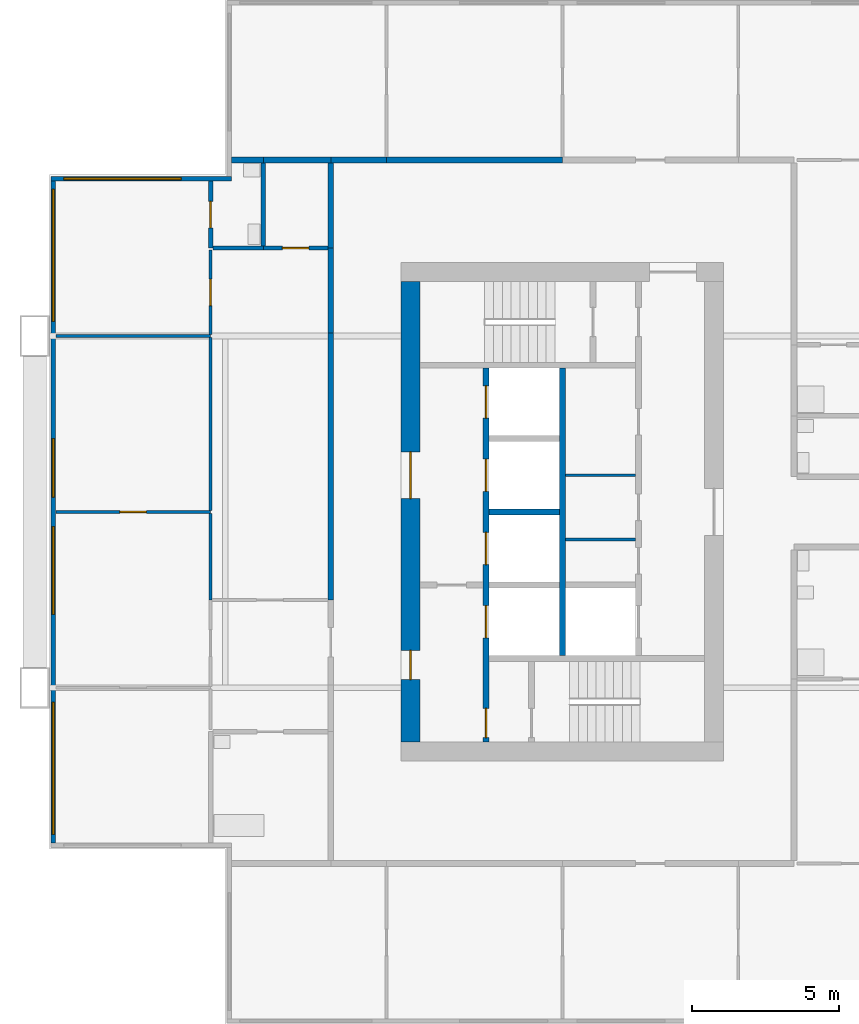
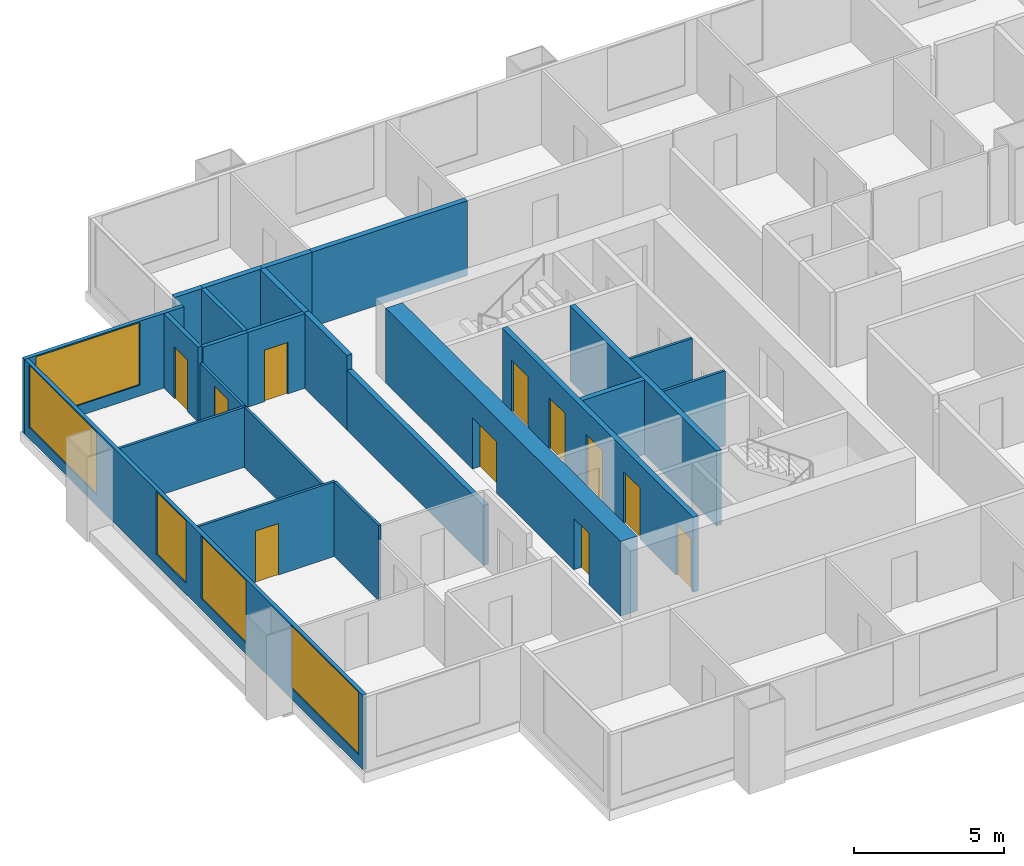
# One storey, part 3 of 11: 24 walls, 11 doors, 5 windows, 16 openings.
"""IFC4 building model written with IfcOpenShell, lengths in metres."""

from ifc_helpers import new_model, si_unit, direction, frame, frame_2d, origin, place, context, subcontext, project, spatial, rectangle, extrude, material, layer, layer_set, type_object, element, fill, save


model = new_model("IFC4")

# Units and contexts
model_context = context("Model", 3, precision=1e-05, world=origin(), true_north=direction((0.0, 1.0)))
body_context = subcontext(model_context, "Body", "Model", "MODEL_VIEW")
ifc_project = project(units=[si_unit("LENGTHUNIT", "METRE"), si_unit("AREAUNIT", "SQUARE_METRE"), si_unit("VOLUMEUNIT", "CUBIC_METRE"), si_unit("PLANEANGLEUNIT", "RADIAN"), si_unit("MASSUNIT", "GRAM", prefix="KILO")], contexts=[model_context])

# Site, building, storey
site_placement = place(None, origin())
site = spatial("IfcSite", under=ifc_project, at=site_placement, CompositionType="ELEMENT")
building_placement = place(site_placement, origin())
building = spatial("IfcBuilding", under=site, at=building_placement, Name="Kitamizu Gate Tower and Museum", CompositionType="ELEMENT")
storey_placement = place(building_placement, frame((0.0, 0.0, 127.64990234375)))
storey = spatial("IfcBuildingStorey", under=building, at=storey_placement, Name="L33", CompositionType="ELEMENT", Elevation=127.64990234375)

# Wall, openings, doors
ifc_material_1 = material(Name="Concrete Fc60", Category="concrete")
ifc_layer_1 = layer(ifc_material_1, 0.64990234375)
ifc_layer_set_1 = layer_set([ifc_layer_1], Name="Concrete Fc60")
wall_type_1 = type_object("IfcWallType", Name="Core wall 650", PredefinedType="SHEAR", material=ifc_layer_set_1)
wall_1_placement = place(storey_placement, frame((12.824951171875, 22.14990234375, 0.0), z_axis=(0.0, 0.0, 1.0), x_axis=(0.0, 1.0, 0.0)))
wall_1 = element("IfcWall", 1, at=wall_1_placement, inside=storey, type_object=wall_type_1, Name="Core wall WOUT", PredefinedType="SHEAR", context=body_context, shape_type="SweptSolid", body=[
    extrude(rectangle(XDim=15.7001953125, YDim=0.64990234375, at=frame_2d((7.85009765625, 0.0))), origin(), (0.0, 0.0, 1.0), 3.050048828125),
])
opening_1_placement = place(wall_1_placement, frame((8.300048828125, 0.0, 0.0)))
opening_1 = element("IfcOpeningElement", 2, at=opening_1_placement, cuts=wall_1, Name="Opening L33-057", PredefinedType="OPENING", context=body_context, shape_type="SweptSolid", body=[
    extrude(rectangle(XDim=1.60009765625, YDim=2.10009765625, at=frame_2d((0.800048828125, 1.050048828125))), frame((0.0, 0.3349609375, 0.0), z_axis=(0.0, -1.0, 0.0), x_axis=(1.0, 0.0, 0.0)), (0.0, 0.0, 1.0), 0.669921875),
])
opening_2_placement = place(wall_1_placement, frame((2.125, 0.0, 0.0)))
opening_2 = element("IfcOpeningElement", 3, at=opening_2_placement, cuts=wall_1, Name="Opening L33-058", PredefinedType="OPENING", context=body_context, shape_type="SweptSolid", body=[
    extrude(rectangle(XDim=1.0, YDim=2.10009765625, at=frame_2d((0.5, 1.050048828125))), frame((0.0, 0.3349609375, 0.0), z_axis=(0.0, -1.0, 0.0), x_axis=(1.0, 0.0, 0.0)), (0.0, 0.0, 1.0), 0.669921875),
])
ifc_material_2 = material(Name="Timber door set", Category="wood")
door_type_1 = type_object("IfcDoorType", Name="Entrance door 1600", OperationType="DOUBLE_DOOR_SINGLE_SWING", PredefinedType="DOOR", material=ifc_material_2)
door_1_placement = place(opening_1_placement, origin())
door_1 = element("IfcDoor", 4, at=door_1_placement, inside=storey, type_object=door_type_1, Name="Lobby door L33-057", OperationType="DOUBLE_DOOR_SINGLE_SWING", OverallHeight=2.10009765625, OverallWidth=1.60009765625, PredefinedType="DOOR", context=body_context, shape_type="SweptSolid", body=[
    extrude(rectangle(XDim=1.60009765625, YDim=2.10009765625, at=frame_2d((0.800048828125, 1.050048828125))), frame((0.0, 0.02490234375, 0.0), z_axis=(0.0, -1.0, 0.0), x_axis=(1.0, 0.0, 0.0)), (0.0, 0.0, 1.0), 0.050048828125),
])
fill(opening_1, door_1)
ifc_material_3 = material(Name="Hollow metal door set")
door_type_2 = type_object("IfcDoorType", Name="Fire door 1000", OperationType="NOTDEFINED", PredefinedType="DOOR", material=ifc_material_3)
door_2_placement = place(opening_2_placement, frame((1.0, 0.0, 0.0), x_axis=(-1.0, 0.0, 0.0)))
door_2 = element("IfcDoor", 5, at=door_2_placement, inside=storey, type_object=door_type_2, Name="Fire-fighting lobby door L33-058", OperationType="SINGLE_SWING_RIGHT", OverallHeight=2.10009765625, OverallWidth=1.0, PredefinedType="DOOR", context=body_context, shape_type="SweptSolid", body=[
    extrude(rectangle(XDim=1.0, YDim=2.10009765625, at=frame_2d((0.5, 1.050048828125))), frame((0.0, 0.02490234375, 0.0), z_axis=(0.0, -1.0, 0.0), x_axis=(1.0, 0.0, 0.0)), (0.0, 0.0, 1.0), 0.050048828125),
])
fill(opening_2, door_2)

# Walls
ifc_material_4 = material(Name="Gypsum board on galvanised stud")
ifc_layer_2 = layer(ifc_material_4, 0.10009765625)
ifc_layer_set_2 = layer_set([ifc_layer_2], Name="Gypsum board on galvanised stud")
wall_type_2 = type_object("IfcWallType", Name="Partition 100", PredefinedType="PARTITIONING", material=ifc_layer_set_2)
for number, where, z_axis, x_axis, name in (
    (6, (18.10009765625, 29.06005859375, 0.0), (0.0, 0.0, 1.0), (1.0, 0.0, 0.0), "Partition WPF1"),
    (7, (18.10009765625, 31.25, 0.0), (0.0, 0.0, 1.0), (1.0, 0.0, 0.0), "Partition WPF2"),
):
    element("IfcWall", number, at=place(storey_placement, frame(where, z_axis=z_axis, x_axis=x_axis)), inside=storey, type_object=wall_type_2, Name=name, PredefinedType="PARTITIONING", context=body_context, shape_type="SweptSolid", body=[
        extrude(rectangle(XDim=2.39990234375, YDim=0.10009765625, at=frame_2d((1.199951171875, 0.0))), origin(), (0.0, 0.0, 1.0), 3.050048828125),
    ])

# Wall, opening, door
ifc_material_5 = material(Name="Gypsum board on galvanised stud")
ifc_layer_3 = layer(ifc_material_5, 0.10009765625)
ifc_layer_set_3 = layer_set([ifc_layer_3], Name="Gypsum board on galvanised stud")
wall_type_3 = type_object("IfcWallType", Name="Partition 100 NOT RATED", PredefinedType="PARTITIONING", material=ifc_layer_set_3)
wall_2_placement = place(storey_placement, frame((6.0, 30.0, 0.0), z_axis=(0.0, 0.0, 1.0), x_axis=(-1.0, 0.0, 0.0)))
wall_2 = element("IfcWall", 8, at=wall_2_placement, inside=storey, type_object=wall_type_3, Name="Partition L33-088", PredefinedType="PARTITIONING", context=body_context, shape_type="SweptSolid", body=[
    extrude(rectangle(XDim=5.280029296875, YDim=0.10009765625, at=frame_2d((2.64013671875, 0.0))), origin(), (0.0, 0.0, 1.0), 3.050048828125),
])
opening_3_placement = place(wall_2_placement, frame((2.18994140625, 0.0, 0.0)))
opening_3 = element("IfcOpeningElement", 9, at=opening_3_placement, cuts=wall_2, Name="Opening L33-032", PredefinedType="OPENING", context=body_context, shape_type="SweptSolid", body=[
    extrude(rectangle(XDim=0.89990234375, YDim=2.10009765625, at=frame_2d((0.449951171875, 1.050048828125))), frame((0.0, 0.06005859375, 0.0), z_axis=(0.0, -1.0, 0.0), x_axis=(1.0, 0.0, 0.0)), (0.0, 0.0, 1.0), 0.1201171875),
])
ifc_material_6 = material(Name="Timber door set", Category="wood")
door_type_3 = type_object("IfcDoorType", Name="Room door 900", OperationType="NOTDEFINED", PredefinedType="DOOR", material=ifc_material_6)
door_3_placement = place(opening_3_placement, origin())
door_3 = element("IfcDoor", 10, at=door_3_placement, inside=storey, type_object=door_type_3, Name="Door L33-032", OperationType="SINGLE_SWING_LEFT", OverallHeight=2.10009765625, OverallWidth=0.89990234375, PredefinedType="DOOR", context=body_context, shape_type="SweptSolid", body=[
    extrude(rectangle(XDim=0.89990234375, YDim=2.10009765625, at=frame_2d((0.449951171875, 1.050048828125))), frame((0.0, 0.02490234375, 0.0), z_axis=(0.0, -1.0, 0.0), x_axis=(1.0, 0.0, 0.0)), (0.0, 0.0, 1.0), 0.050048828125),
])
fill(opening_3, door_3)

# Walls
wall_3_placement = place(storey_placement, frame((6.0, 27.0, 0.0), z_axis=(0.0, 0.0, 1.0), x_axis=(0.0, 1.0, 0.0)))
element("IfcWall", 11, at=wall_3_placement, inside=storey, type_object=wall_type_3, Name="Partition L33-090", PredefinedType="PARTITIONING", context=body_context, shape_type="SweptSolid", body=[
    extrude(rectangle(XDim=2.949951171875, YDim=0.10009765625, at=frame_2d((1.47509765625, 0.0))), origin(), (0.0, 0.0, 1.0), 3.050048828125),
])
wall_4_placement = place(storey_placement, frame((6.0, 36.0, 0.0), z_axis=(0.0, 0.0, 1.0), x_axis=(-1.0, 0.0, 0.0)))
element("IfcWall", 12, at=wall_4_placement, inside=storey, type_object=wall_type_3, Name="Partition L33-091", PredefinedType="PARTITIONING", context=body_context, shape_type="SweptSolid", body=[
    extrude(rectangle(XDim=5.280029296875, YDim=0.10009765625, at=frame_2d((2.64013671875, 0.0))), origin(), (0.0, 0.0, 1.0), 2.4501953125),
])
wall_5_placement = place(storey_placement, frame((6.0, 30.050048828125, 0.0), z_axis=(0.0, 0.0, 1.0), x_axis=(0.0, 1.0, 0.0)))
element("IfcWall", 13, at=wall_5_placement, inside=storey, type_object=wall_type_3, Name="Partition L33-092", PredefinedType="PARTITIONING", context=body_context, shape_type="SweptSolid", body=[
    extrude(rectangle(XDim=5.89990234375, YDim=0.10009765625, at=frame_2d((2.949951171875, 0.0))), origin(), (0.0, 0.0, 1.0), 2.4501953125),
])

# Wall, opening, door
wall_6_placement = place(storey_placement, frame((6.0, 36.050048828125, 0.0), z_axis=(0.0, 0.0, 1.0), x_axis=(0.0, 1.0, 0.0)))
wall_6 = element("IfcWall", 14, at=wall_6_placement, inside=storey, type_object=wall_type_3, Name="Partition L33-093", PredefinedType="PARTITIONING", context=body_context, shape_type="SweptSolid", body=[
    extrude(rectangle(XDim=2.875, YDim=0.10009765625, at=frame_2d((1.4375, 0.0))), origin(), (0.0, 0.0, 1.0), 2.4501953125),
])
opening_4_placement = place(wall_6_placement, frame((0.987548828125, 0.0, 0.0)))
opening_4 = element("IfcOpeningElement", 15, at=opening_4_placement, cuts=wall_6, Name="Opening L33-033", PredefinedType="OPENING", context=body_context, shape_type="SweptSolid", body=[
    extrude(rectangle(XDim=0.89990234375, YDim=2.10009765625, at=frame_2d((0.449951171875, 1.050048828125))), frame((0.0, 0.06005859375, 0.0), z_axis=(0.0, -1.0, 0.0), x_axis=(1.0, 0.0, 0.0)), (0.0, 0.0, 1.0), 0.1201171875),
])
door_4_placement = place(opening_4_placement, origin())
door_4 = element("IfcDoor", 16, at=door_4_placement, inside=storey, type_object=door_type_3, Name="Door L33-033", OperationType="SINGLE_SWING_RIGHT", OverallHeight=2.10009765625, OverallWidth=0.89990234375, PredefinedType="DOOR", context=body_context, shape_type="SweptSolid", body=[
    extrude(rectangle(XDim=0.89990234375, YDim=2.10009765625, at=frame_2d((0.449951171875, 1.050048828125))), frame((0.0, 0.02490234375, 0.0), z_axis=(0.0, -1.0, 0.0), x_axis=(1.0, 0.0, 0.0)), (0.0, 0.0, 1.0), 0.050048828125),
])
fill(opening_4, door_4)

ifc_material_7 = material(Name="Gypsum board on galvanised stud")
ifc_layer_4 = layer(ifc_material_7, 0.14990234375)
ifc_layer_set_4 = layer_set([ifc_layer_4], Name="Gypsum board on galvanised stud")
wall_type_4 = type_object("IfcWallType", Name="Partition 150", PredefinedType="PARTITIONING", material=ifc_layer_set_4)
wall_7_placement = place(storey_placement, frame((6.0, 39.0, 0.0), z_axis=(0.0, 0.0, 1.0), x_axis=(0.0, 1.0, 0.0)))
wall_7 = element("IfcWall", 17, at=wall_7_placement, inside=storey, type_object=wall_type_4, Name="Partition L33-094", PredefinedType="PARTITIONING", context=body_context, shape_type="SweptSolid", body=[
    extrude(rectangle(XDim=2.280029296875, YDim=0.14990234375, at=frame_2d((1.14013671875, 0.0))), origin(), (0.0, 0.0, 1.0), 3.050048828125),
])
opening_5_placement = place(wall_7_placement, frame((0.68994140625, 0.0, 0.0)))
opening_5 = element("IfcOpeningElement", 18, at=opening_5_placement, cuts=wall_7, Name="Opening L33-036", PredefinedType="OPENING", context=body_context, shape_type="SweptSolid", body=[
    extrude(rectangle(XDim=0.89990234375, YDim=2.10009765625, at=frame_2d((0.449951171875, 1.050048828125))), frame((0.0, 0.0849609375, 0.0), z_axis=(0.0, -1.0, 0.0), x_axis=(1.0, 0.0, 0.0)), (0.0, 0.0, 1.0), 0.169921875),
])
ifc_material_8 = material(Name="Timber door set", Category="wood")
door_type_4 = type_object("IfcDoorType", Name="Bathroom door 900", OperationType="NOTDEFINED", PredefinedType="DOOR", material=ifc_material_8)
door_5_placement = place(opening_5_placement, frame((0.89990234375, 0.0, 0.0), x_axis=(-1.0, 0.0, 0.0)))
door_5 = element("IfcDoor", 19, at=door_5_placement, inside=storey, type_object=door_type_4, Name="Bathroom door L33-036", OperationType="SINGLE_SWING_LEFT", OverallHeight=2.10009765625, OverallWidth=0.89990234375, PredefinedType="DOOR", context=body_context, shape_type="SweptSolid", body=[
    extrude(rectangle(XDim=0.89990234375, YDim=2.10009765625, at=frame_2d((0.449951171875, 1.050048828125))), frame((0.0, 0.02490234375, 0.0), z_axis=(0.0, -1.0, 0.0), x_axis=(1.0, 0.0, 0.0)), (0.0, 0.0, 1.0), 0.050048828125),
])
fill(opening_5, door_5)

# Wall
wall_8_placement = place(storey_placement, frame((7.800048828125, 39.0, 0.0), z_axis=(0.0, 0.0, 1.0), x_axis=(-1.0, 0.0, 0.0)))
element("IfcWall", 20, at=wall_8_placement, inside=storey, type_object=wall_type_4, Name="Partition L33-100", PredefinedType="PARTITIONING", context=body_context, shape_type="SweptSolid", body=[
    extrude(rectangle(XDim=1.72509765625, YDim=0.14990234375, at=frame_2d((0.862548828125, 0.0))), origin(), (0.0, 0.0, 1.0), 3.050048828125),
])

# Wall, opening, door
wall_9_placement = place(storey_placement, frame((10.0, 39.0, 0.0), z_axis=(0.0, 0.0, 1.0), x_axis=(-1.0, 0.0, 0.0)))
wall_9 = element("IfcWall", 21, at=wall_9_placement, inside=storey, type_object=wall_type_4, Name="Partition L33-101", PredefinedType="PARTITIONING", context=body_context, shape_type="SweptSolid", body=[
    extrude(rectangle(XDim=2.199951171875, YDim=0.14990234375, at=frame_2d((1.10009765625, 0.0))), origin(), (0.0, 0.0, 1.0), 3.050048828125),
])
opening_6_placement = place(wall_9_placement, frame((0.64990234375, 0.0, 0.0)))
opening_6 = element("IfcOpeningElement", 22, at=opening_6_placement, cuts=wall_9, Name="Opening L33-037", PredefinedType="OPENING", context=body_context, shape_type="SweptSolid", body=[
    extrude(rectangle(XDim=0.89990234375, YDim=2.10009765625, at=frame_2d((0.449951171875, 1.050048828125))), frame((0.0, 0.0849609375, 0.0), z_axis=(0.0, -1.0, 0.0), x_axis=(1.0, 0.0, 0.0)), (0.0, 0.0, 1.0), 0.169921875),
])
door_6_placement = place(opening_6_placement, frame((0.89990234375, 0.0, 0.0), x_axis=(-1.0, 0.0, 0.0)))
door_6 = element("IfcDoor", 23, at=door_6_placement, inside=storey, type_object=door_type_4, Name="Bathroom door L33-037", OperationType="SINGLE_SWING_RIGHT", OverallHeight=2.10009765625, OverallWidth=0.89990234375, PredefinedType="DOOR", context=body_context, shape_type="SweptSolid", body=[
    extrude(rectangle(XDim=0.89990234375, YDim=2.10009765625, at=frame_2d((0.449951171875, 1.050048828125))), frame((0.0, 0.02490234375, 0.0), z_axis=(0.0, -1.0, 0.0), x_axis=(1.0, 0.0, 0.0)), (0.0, 0.0, 1.0), 0.050048828125),
])
fill(opening_6, door_6)

# Walls
wall_10_placement = place(storey_placement, frame((7.800048828125, 39.074951171875, 0.0), z_axis=(0.0, 0.0, 1.0), x_axis=(0.0, 1.0, 0.0)))
element("IfcWall", 24, at=wall_10_placement, inside=storey, type_object=wall_type_4, Name="Partition L33-104", PredefinedType="PARTITIONING", context=body_context, shape_type="SweptSolid", body=[
    extrude(rectangle(XDim=2.824951171875, YDim=0.14990234375, at=frame_2d((1.41259765625, 0.0))), origin(), (0.0, 0.0, 1.0), 3.050048828125),
])
ifc_material_9 = material(Name="Gypsum board on galvanised stud")
ifc_layer_5 = layer(ifc_material_9, 0.199951171875)
ifc_layer_set_5 = layer_set([ifc_layer_5], Name="Gypsum board on galvanised stud")
wall_type_5 = type_object("IfcWallType", Name="Partition 200", PredefinedType="PARTITIONING", material=ifc_layer_set_5)
wall_11_placement = place(storey_placement, frame((6.719970703125, 42.0, 0.0), z_axis=(0.0, 0.0, 1.0), x_axis=(1.0, 0.0, 0.0)))
element("IfcWall", 25, at=wall_11_placement, inside=storey, type_object=wall_type_5, Name="Partition L33-050", PredefinedType="PARTITIONING", context=body_context, shape_type="SweptSolid", body=[
    extrude(rectangle(XDim=1.080078125, YDim=0.199951171875, at=frame_2d((0.5400390625, 0.0))), origin(), (0.0, 0.0, 1.0), 3.050048828125),
])
wall_12_placement = place(storey_placement, frame((7.800048828125, 42.0, 0.0), z_axis=(0.0, 0.0, 1.0), x_axis=(1.0, 0.0, 0.0)))
element("IfcWall", 26, at=wall_12_placement, inside=storey, type_object=wall_type_5, Name="Partition L33-051", PredefinedType="PARTITIONING", context=body_context, shape_type="SweptSolid", body=[
    extrude(rectangle(XDim=2.300048828125, YDim=0.199951171875, at=frame_2d((1.14990234375, 0.0))), origin(), (0.0, 0.0, 1.0), 3.050048828125),
])
wall_13_placement = place(storey_placement, frame((10.10009765625, 42.0, 0.0), z_axis=(0.0, 0.0, 1.0), x_axis=(1.0, 0.0, 0.0)))
element("IfcWall", 27, at=wall_13_placement, inside=storey, type_object=wall_type_5, Name="Partition L33-052", PredefinedType="PARTITIONING", context=body_context, shape_type="SweptSolid", body=[
    extrude(rectangle(XDim=1.89990234375, YDim=0.199951171875, at=frame_2d((0.949951171875, 0.0))), origin(), (0.0, 0.0, 1.0), 3.050048828125),
])
wall_14_placement = place(storey_placement, frame((12.0, 42.0, 0.0), z_axis=(0.0, 0.0, 1.0), x_axis=(1.0, 0.0, 0.0)))
element("IfcWall", 28, at=wall_14_placement, inside=storey, type_object=wall_type_5, Name="Partition L33-054", PredefinedType="PARTITIONING", context=body_context, shape_type="SweptSolid", body=[
    extrude(rectangle(XDim=6.0, YDim=0.199951171875, at=frame_2d((3.0, 0.0))), origin(), (0.0, 0.0, 1.0), 3.050048828125),
])
wall_15_placement = place(storey_placement, frame((10.10009765625, 27.0, 0.0), z_axis=(0.0, 0.0, 1.0), x_axis=(0.0, 1.0, 0.0)))
element("IfcWall", 29, at=wall_15_placement, inside=storey, type_object=wall_type_5, Name="Partition L33-102", PredefinedType="PARTITIONING", context=body_context, shape_type="SweptSolid", body=[
    extrude(rectangle(XDim=9.10009765625, YDim=0.199951171875, at=frame_2d((4.550048828125, 0.0))), origin(), (0.0, 0.0, 1.0), 2.4501953125),
])
for number, where, z_axis, x_axis, name in (
    (30, (10.10009765625, 36.10009765625, 0.0), (0.0, 0.0, 1.0), (0.0, 1.0, 0.0), "Partition L33-103"),
    (31, (10.10009765625, 39.0, 0.0), (0.0, 0.0, 1.0), (0.0, 1.0, 0.0), "Partition L33-105"),
):
    element("IfcWall", number, at=place(storey_placement, frame(where, z_axis=z_axis, x_axis=x_axis)), inside=storey, type_object=wall_type_5, Name=name, PredefinedType="PARTITIONING", context=body_context, shape_type="SweptSolid", body=[
        extrude(rectangle(XDim=2.89990234375, YDim=0.199951171875, at=frame_2d((1.449951171875, 0.0))), origin(), (0.0, 0.0, 1.0), 3.050048828125),
    ])

# Wall, openings, doors
ifc_material_10 = material(Name="Concrete Fc42", Category="concrete")
ifc_layer_6 = layer(ifc_material_10, 0.199951171875)
ifc_layer_set_6 = layer_set([ifc_layer_6], Name="Concrete Fc42")
wall_type_6 = type_object("IfcWallType", Name="Shaft wall 200", PredefinedType="SOLIDWALL", material=ifc_layer_set_6)
wall_16_placement = place(storey_placement, frame((15.39990234375, 22.14990234375, 0.0), z_axis=(0.0, 0.0, 1.0), x_axis=(0.0, 1.0, 0.0)))
wall_16 = element("IfcWall", 32, at=wall_16_placement, inside=storey, type_object=wall_type_6, Name="Shaft wall WWEST", PredefinedType="SOLIDWALL", context=body_context, shape_type="SweptSolid", body=[
    extrude(rectangle(XDim=12.75, YDim=0.199951171875, at=frame_2d((6.375, 0.0))), origin(), (0.0, 0.0, 1.0), 3.050048828125),
])
opening_7_placement = place(wall_16_placement, frame((3.550048828125, 0.0, 0.0)))
opening_7 = element("IfcOpeningElement", 33, at=opening_7_placement, cuts=wall_16, Name="Opening LD", PredefinedType="OPENING", context=body_context, shape_type="SweptSolid", body=[
    extrude(rectangle(XDim=1.10009765625, YDim=2.10009765625, at=frame_2d((0.550048828125, 1.050048828125))), frame((0.0, 0.10986328125, 0.0), z_axis=(0.0, -1.0, 0.0), x_axis=(1.0, 0.0, 0.0)), (0.0, 0.0, 1.0), 0.219970703125),
])
opening_8_placement = place(wall_16_placement, frame((6.050048828125, 0.0, 0.0)))
opening_8 = element("IfcOpeningElement", 34, at=opening_8_placement, cuts=wall_16, Name="Opening LD", PredefinedType="OPENING", context=body_context, shape_type="SweptSolid", body=[
    extrude(rectangle(XDim=1.10009765625, YDim=2.10009765625, at=frame_2d((0.550048828125, 1.050048828125))), frame((0.0, 0.10986328125, 0.0), z_axis=(0.0, -1.0, 0.0), x_axis=(1.0, 0.0, 0.0)), (0.0, 0.0, 1.0), 0.219970703125),
])
opening_9_placement = place(wall_16_placement, frame((8.550048828125, 0.0, 0.0)))
opening_9 = element("IfcOpeningElement", 35, at=opening_9_placement, cuts=wall_16, Name="Opening LD", PredefinedType="OPENING", context=body_context, shape_type="SweptSolid", body=[
    extrude(rectangle(XDim=1.10009765625, YDim=2.10009765625, at=frame_2d((0.550048828125, 1.050048828125))), frame((0.0, 0.10986328125, 0.0), z_axis=(0.0, -1.0, 0.0), x_axis=(1.0, 0.0, 0.0)), (0.0, 0.0, 1.0), 0.219970703125),
])
opening_10_placement = place(wall_16_placement, frame((11.050048828125, 0.0, 0.0)))
opening_10 = element("IfcOpeningElement", 36, at=opening_10_placement, cuts=wall_16, Name="Opening LD", PredefinedType="OPENING", context=body_context, shape_type="SweptSolid", body=[
    extrude(rectangle(XDim=1.10009765625, YDim=2.10009765625, at=frame_2d((0.550048828125, 1.050048828125))), frame((0.0, 0.10986328125, 0.0), z_axis=(0.0, -1.0, 0.0), x_axis=(1.0, 0.0, 0.0)), (0.0, 0.0, 1.0), 0.219970703125),
])
opening_11_placement = place(wall_16_placement, frame((0.14990234375, 0.0, 0.0)))
opening_11 = element("IfcOpeningElement", 37, at=opening_11_placement, cuts=wall_16, Name="Opening L33-053", PredefinedType="OPENING", context=body_context, shape_type="SweptSolid", body=[
    extrude(rectangle(XDim=1.0, YDim=2.10009765625, at=frame_2d((0.5, 1.050048828125))), frame((0.0, 0.10986328125, 0.0), z_axis=(0.0, -1.0, 0.0), x_axis=(1.0, 0.0, 0.0)), (0.0, 0.0, 1.0), 0.219970703125),
])
door_7_placement = place(opening_11_placement, frame((1.0, 0.0, 0.0), x_axis=(-1.0, 0.0, 0.0)))
door_7 = element("IfcDoor", 38, at=door_7_placement, inside=storey, type_object=door_type_2, Name="Stair lobby door L33-053", OperationType="SINGLE_SWING_LEFT", OverallHeight=2.10009765625, OverallWidth=1.0, PredefinedType="DOOR", context=body_context, shape_type="SweptSolid", body=[
    extrude(rectangle(XDim=1.0, YDim=2.10009765625, at=frame_2d((0.5, 1.050048828125))), frame((0.0, 0.02490234375, 0.0), z_axis=(0.0, -1.0, 0.0), x_axis=(1.0, 0.0, 0.0)), (0.0, 0.0, 1.0), 0.050048828125),
])
fill(opening_11, door_7)
ifc_material_11 = material(Name="Hollow metal door set")
door_type_5 = type_object("IfcDoorType", Name="Landing door 1100", OperationType="SLIDING_TO_LEFT", PredefinedType="DOOR", material=ifc_material_11)
door_8_placement = place(opening_7_placement, origin())
door_8 = element("IfcDoor", 39, at=door_8_placement, inside=storey, type_object=door_type_5, Name="Landing door WFF1", OperationType="SLIDING_TO_LEFT", OverallHeight=2.10009765625, OverallWidth=1.10009765625, PredefinedType="DOOR", context=body_context, shape_type="SweptSolid", body=[
    extrude(rectangle(XDim=1.10009765625, YDim=2.10009765625, at=frame_2d((0.550048828125, 1.050048828125))), frame((0.0, 0.02490234375, 0.0), z_axis=(0.0, -1.0, 0.0), x_axis=(1.0, 0.0, 0.0)), (0.0, 0.0, 1.0), 0.050048828125),
])
fill(opening_7, door_8)
door_9_placement = place(opening_8_placement, origin())
door_9 = element("IfcDoor", 40, at=door_9_placement, inside=storey, type_object=door_type_5, Name="Landing door WL1", OperationType="SLIDING_TO_LEFT", OverallHeight=2.10009765625, OverallWidth=1.10009765625, PredefinedType="DOOR", context=body_context, shape_type="SweptSolid", body=[
    extrude(rectangle(XDim=1.10009765625, YDim=2.10009765625, at=frame_2d((0.550048828125, 1.050048828125))), frame((0.0, 0.02490234375, 0.0), z_axis=(0.0, -1.0, 0.0), x_axis=(1.0, 0.0, 0.0)), (0.0, 0.0, 1.0), 0.050048828125),
])
fill(opening_8, door_9)
door_10_placement = place(opening_9_placement, origin())
door_10 = element("IfcDoor", 41, at=door_10_placement, inside=storey, type_object=door_type_5, Name="Landing door WL2", OperationType="SLIDING_TO_LEFT", OverallHeight=2.10009765625, OverallWidth=1.10009765625, PredefinedType="DOOR", context=body_context, shape_type="SweptSolid", body=[
    extrude(rectangle(XDim=1.10009765625, YDim=2.10009765625, at=frame_2d((0.550048828125, 1.050048828125))), frame((0.0, 0.02490234375, 0.0), z_axis=(0.0, -1.0, 0.0), x_axis=(1.0, 0.0, 0.0)), (0.0, 0.0, 1.0), 0.050048828125),
])
fill(opening_9, door_10)
door_11_placement = place(opening_10_placement, origin())
door_11 = element("IfcDoor", 42, at=door_11_placement, inside=storey, type_object=door_type_5, Name="Landing door WL3", OperationType="SLIDING_TO_LEFT", OverallHeight=2.10009765625, OverallWidth=1.10009765625, PredefinedType="DOOR", context=body_context, shape_type="SweptSolid", body=[
    extrude(rectangle(XDim=1.10009765625, YDim=2.10009765625, at=frame_2d((0.550048828125, 1.050048828125))), frame((0.0, 0.02490234375, 0.0), z_axis=(0.0, -1.0, 0.0), x_axis=(1.0, 0.0, 0.0)), (0.0, 0.0, 1.0), 0.050048828125),
])
fill(opening_10, door_11)

# Walls
wall_17_placement = place(storey_placement, frame((18.0, 25.10009765625, 0.0), z_axis=(0.0, 0.0, 1.0), x_axis=(0.0, 1.0, 0.0)))
element("IfcWall", 43, at=wall_17_placement, inside=storey, type_object=wall_type_6, Name="Shaft wall WMID", PredefinedType="SOLIDWALL", context=body_context, shape_type="SweptSolid", body=[
    extrude(rectangle(XDim=9.7998046875, YDim=0.199951171875, at=frame_2d((4.89990234375, 0.0))), origin(), (0.0, 0.0, 1.0), 3.050048828125),
])
wall_18_placement = place(storey_placement, frame((15.5, 30.0, 0.0), z_axis=(0.0, 0.0, 1.0), x_axis=(1.0, 0.0, 0.0)))
element("IfcWall", 44, at=wall_18_placement, inside=storey, type_object=wall_type_6, Name="Shaft wall WDVW1", PredefinedType="SOLIDWALL", context=body_context, shape_type="SweptSolid", body=[
    extrude(rectangle(XDim=2.39990234375, YDim=0.199951171875, at=frame_2d((1.199951171875, 0.0))), origin(), (0.0, 0.0, 1.0), 3.050048828125),
])

# Wall, opening, window
ifc_material_12 = material(Name="Bronze anodised aluminium frame with insulated spandrel and tinted glass", Category="aluminium")
ifc_layer_7 = layer(ifc_material_12, 0.14990234375)
ifc_layer_set_7 = layer_set([ifc_layer_7], Name="Bronze anodised aluminium frame with insulated spandrel and tinted glass")
wall_type_7 = type_object("IfcWallType", Name="WINDOW WALL 150 BRONZE FRAME EI 30", PredefinedType="ELEMENTEDWALL", material=ifc_layer_set_7)
wall_19_placement = place(storey_placement, frame((0.56005859375, 41.364990234375, 0.0), z_axis=(0.0, 0.0, 1.0), x_axis=(1.0, 0.0, 0.0)))
wall_19 = element("IfcWall", 45, at=wall_19_placement, inside=storey, type_object=wall_type_7, Name="Window wall north L33", PredefinedType="ELEMENTEDWALL", context=body_context, shape_type="SweptSolid", body=[
    extrude(rectangle(XDim=6.14990234375, YDim=0.14990234375, at=frame_2d((3.074951171875, 0.0))), origin(), (0.0, 0.0, 1.0), 3.050048828125),
])
opening_12_placement = place(wall_19_placement, frame((0.43994140625, 0.0, 0.449951171875)))
opening_12 = element("IfcOpeningElement", 46, at=opening_12_placement, cuts=wall_19, Name="Opening W16", PredefinedType="OPENING", context=body_context, shape_type="SweptSolid", body=[
    extrude(rectangle(XDim=4.0, YDim=2.550048828125, at=frame_2d((2.0, 1.27490234375))), frame((0.0, 0.0849609375, 0.0), z_axis=(0.0, -1.0, 0.0), x_axis=(1.0, 0.0, 0.0)), (0.0, 0.0, 1.0), 0.169921875),
])
ifc_material_13 = material(Name="Bronze anodised aluminium frame, tinted triple glazing", Category="aluminium")
window_type_1 = type_object("IfcWindowType", Name="WINDOW 4000 x 2550 SILL 450", PartitioningType="SINGLE_PANEL", PredefinedType="WINDOW", material=ifc_material_13)
window_1_placement = place(opening_12_placement, origin())
window_1 = element("IfcWindow", 47, at=window_1_placement, inside=storey, type_object=window_type_1, Name="Window W16 L33", OverallHeight=2.550048828125, OverallWidth=4.0, PartitioningType="SINGLE_PANEL", PredefinedType="WINDOW", context=body_context, shape_type="SweptSolid", body=[
    extrude(rectangle(XDim=4.0, YDim=2.550048828125, at=frame_2d((2.0, 1.27490234375))), frame((0.0, 0.030029296875, 0.0), z_axis=(0.0, -1.0, 0.0), x_axis=(1.0, 0.0, 0.0)), (0.0, 0.0, 1.0), 0.06005859375),
])
fill(opening_12, window_1)

# Wall, openings, windows
wall_20_placement = place(storey_placement, frame((0.635009765625, 18.7099609375, 0.0), z_axis=(0.0, 0.0, 1.0), x_axis=(0.0, 1.0, 0.0)))
wall_20 = element("IfcWall", 48, at=wall_20_placement, inside=storey, type_object=wall_type_7, Name="Window wall west L33", PredefinedType="ELEMENTEDWALL", context=body_context, shape_type="SweptSolid", body=[
    extrude(rectangle(XDim=22.580078125, YDim=0.14990234375, at=frame_2d((11.2900390625, 0.0))), origin(), (0.0, 0.0, 1.0), 3.050048828125),
])
opening_13_placement = place(wall_20_placement, frame((0.2900390625, 0.0, 0.449951171875)))
opening_13 = element("IfcOpeningElement", 49, at=opening_13_placement, cuts=wall_20, Name="Opening W15", PredefinedType="OPENING", context=body_context, shape_type="SweptSolid", body=[
    extrude(rectangle(XDim=4.5, YDim=2.550048828125, at=frame_2d((2.25, 1.27490234375))), frame((0.0, 0.0849609375, 0.0), z_axis=(0.0, -1.0, 0.0), x_axis=(1.0, 0.0, 0.0)), (0.0, 0.0, 1.0), 0.169921875),
])
opening_14_placement = place(wall_20_placement, frame((7.7900390625, 0.0, 0.449951171875)))
opening_14 = element("IfcOpeningElement", 50, at=opening_14_placement, cuts=wall_20, Name="Opening W33", PredefinedType="OPENING", context=body_context, shape_type="SweptSolid", body=[
    extrude(rectangle(XDim=3.0, YDim=2.550048828125, at=frame_2d((1.5, 1.27490234375))), frame((0.0, 0.0849609375, 0.0), z_axis=(0.0, -1.0, 0.0), x_axis=(1.0, 0.0, 0.0)), (0.0, 0.0, 1.0), 0.169921875),
])
opening_15_placement = place(wall_20_placement, frame((11.7900390625, 0.0, 0.449951171875)))
opening_15 = element("IfcOpeningElement", 51, at=opening_15_placement, cuts=wall_20, Name="Opening W2", PredefinedType="OPENING", context=body_context, shape_type="SweptSolid", body=[
    extrude(rectangle(XDim=2.0, YDim=2.550048828125, at=frame_2d((1.0, 1.27490234375))), frame((0.0, 0.0849609375, 0.0), z_axis=(0.0, -1.0, 0.0), x_axis=(1.0, 0.0, 0.0)), (0.0, 0.0, 1.0), 0.169921875),
])
opening_16_placement = place(wall_20_placement, frame((17.7900390625, 0.0, 0.449951171875)))
opening_16 = element("IfcOpeningElement", 52, at=opening_16_placement, cuts=wall_20, Name="Opening W15", PredefinedType="OPENING", context=body_context, shape_type="SweptSolid", body=[
    extrude(rectangle(XDim=4.5, YDim=2.550048828125, at=frame_2d((2.25, 1.27490234375))), frame((0.0, 0.0849609375, 0.0), z_axis=(0.0, -1.0, 0.0), x_axis=(1.0, 0.0, 0.0)), (0.0, 0.0, 1.0), 0.169921875),
])
ifc_material_14 = material(Name="Bronze anodised aluminium frame, tinted triple glazing", Category="aluminium")
window_type_2 = type_object("IfcWindowType", Name="WINDOW 2000 x 2550 SILL 450", PartitioningType="SINGLE_PANEL", PredefinedType="WINDOW", material=ifc_material_14)
window_2_placement = place(opening_15_placement, origin())
window_2 = element("IfcWindow", 53, at=window_2_placement, inside=storey, type_object=window_type_2, Name="Window W2 L33", OverallHeight=2.550048828125, OverallWidth=2.0, PartitioningType="SINGLE_PANEL", PredefinedType="WINDOW", context=body_context, shape_type="SweptSolid", body=[
    extrude(rectangle(XDim=2.0, YDim=2.550048828125, at=frame_2d((1.0, 1.27490234375))), frame((0.0, 0.030029296875, 0.0), z_axis=(0.0, -1.0, 0.0), x_axis=(1.0, 0.0, 0.0)), (0.0, 0.0, 1.0), 0.06005859375),
])
fill(opening_15, window_2)
ifc_material_15 = material(Name="Bronze anodised aluminium frame, tinted triple glazing", Category="aluminium")
window_type_3 = type_object("IfcWindowType", Name="WINDOW 3000 x 2550 SILL 450", PartitioningType="SINGLE_PANEL", PredefinedType="WINDOW", material=ifc_material_15)
window_3_placement = place(opening_14_placement, origin())
window_3 = element("IfcWindow", 54, at=window_3_placement, inside=storey, type_object=window_type_3, Name="Window W33 L33", OverallHeight=2.550048828125, OverallWidth=3.0, PartitioningType="SINGLE_PANEL", PredefinedType="WINDOW", context=body_context, shape_type="SweptSolid", body=[
    extrude(rectangle(XDim=3.0, YDim=2.550048828125, at=frame_2d((1.5, 1.27490234375))), frame((0.0, 0.030029296875, 0.0), z_axis=(0.0, -1.0, 0.0), x_axis=(1.0, 0.0, 0.0)), (0.0, 0.0, 1.0), 0.06005859375),
])
fill(opening_14, window_3)
ifc_material_16 = material(Name="Bronze anodised aluminium frame, tinted triple glazing", Category="aluminium")
window_type_4 = type_object("IfcWindowType", Name="WINDOW 4500 x 2550 SILL 450", PartitioningType="SINGLE_PANEL", PredefinedType="WINDOW", material=ifc_material_16)
window_4_placement = place(opening_13_placement, origin())
window_4 = element("IfcWindow", 55, at=window_4_placement, inside=storey, type_object=window_type_4, Name="Window W15 L33", OverallHeight=2.550048828125, OverallWidth=4.5, PartitioningType="SINGLE_PANEL", PredefinedType="WINDOW", context=body_context, shape_type="SweptSolid", body=[
    extrude(rectangle(XDim=4.5, YDim=2.550048828125, at=frame_2d((2.25, 1.27490234375))), frame((0.0, 0.030029296875, 0.0), z_axis=(0.0, -1.0, 0.0), x_axis=(1.0, 0.0, 0.0)), (0.0, 0.0, 1.0), 0.06005859375),
])
fill(opening_13, window_4)
window_5_placement = place(opening_16_placement, origin())
window_5 = element("IfcWindow", 56, at=window_5_placement, inside=storey, type_object=window_type_4, Name="Window W15 L33", OverallHeight=2.550048828125, OverallWidth=4.5, PartitioningType="SINGLE_PANEL", PredefinedType="WINDOW", context=body_context, shape_type="SweptSolid", body=[
    extrude(rectangle(XDim=4.5, YDim=2.550048828125, at=frame_2d((2.25, 1.27490234375))), frame((0.0, 0.030029296875, 0.0), z_axis=(0.0, -1.0, 0.0), x_axis=(1.0, 0.0, 0.0)), (0.0, 0.0, 1.0), 0.06005859375),
])
fill(opening_16, window_5)

save(model, "model.ifc")
